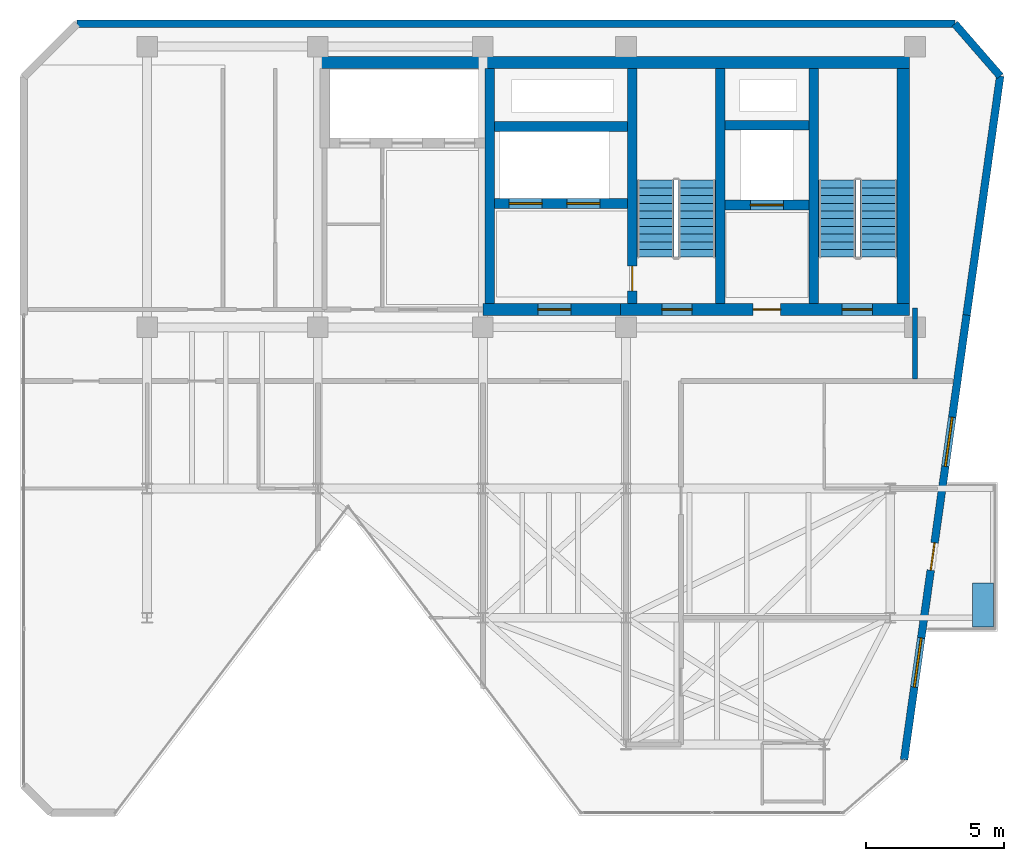
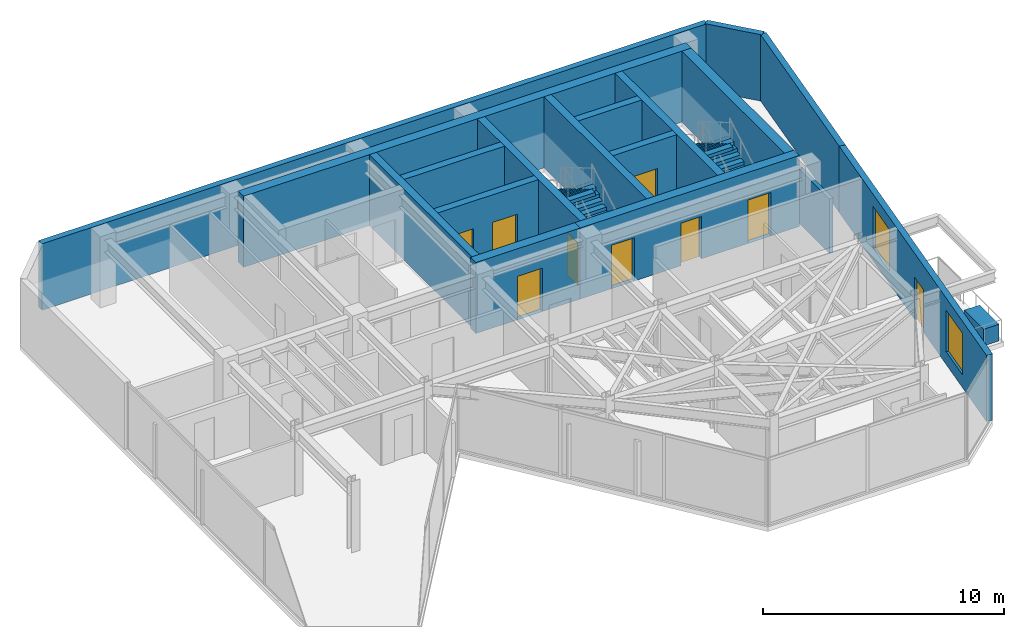
# One storey, part 14 of 16: 17 walls, 9 doors, 4 stair flights, 2 windows, 1 discrete accessory, 11 openings, 2 elements without a shape of their own.
"""IFC4 building model written with IfcOpenShell, lengths in metres."""

from ifc_helpers import new_model, si_unit, direction, frame, frame_2d, origin, origin_2d, place, context, subcontext, project, spatial, polyline, rectangle, outline, extrude, material, layer, layer_set, type_object, element, fill, aggregate, save


model = new_model("IFC4")

# Units and contexts
model_context = context("Model", 3, precision=1e-05, world=origin(), true_north=direction((0.0, 1.0)))
body_context = subcontext(model_context, "Body", "Model", "MODEL_VIEW")
ifc_project = project(units=[si_unit("LENGTHUNIT", "METRE"), si_unit("AREAUNIT", "SQUARE_METRE"), si_unit("VOLUMEUNIT", "CUBIC_METRE"), si_unit("PLANEANGLEUNIT", "RADIAN"), si_unit("MASSUNIT", "GRAM", prefix="KILO")], contexts=[model_context])

# Site, building, storey
site_placement = place(None, origin())
site = spatial("IfcSite", under=ifc_project, at=site_placement, CompositionType="ELEMENT")
building_placement = place(site_placement, origin())
building = spatial("IfcBuilding", under=site, at=building_placement, Name="Kravanh Interchange Tower", CompositionType="ELEMENT")
storey_placement = place(building_placement, frame((0.0, 0.0, 300.300048828125)))
storey = spatial("IfcBuildingStorey", under=building, at=storey_placement, Name="L74", CompositionType="ELEMENT", Elevation=300.300048828125)

# Walls
ifc_material_1 = material(Name="Concrete C60/75", Category="concrete")
ifc_layer_1 = layer(ifc_material_1, 0.35009765625)
ifc_layer_set_1 = layer_set([ifc_layer_1], Name="Core Shear Wall Concrete C60/75 350mm")
wall_type_1 = type_object("IfcWallType", Name="Core Shear Wall Concrete C60/75 350mm", PredefinedType="SHEAR", material=ifc_layer_set_1)
for number, where, z_axis, x_axis, name in (
    (1, (62.824951171875, 38.22509765625, 0.0), (0.0, 0.0, 1.0), (0.0, 1.0, 0.0), "L74 Stair ST1 West Shear Wall"),
    (2, (59.425048828125, 38.22509765625, 0.0), (0.0, 0.0, 1.0), (0.0, 1.0, 0.0), "L74 Stair ST2 East Shear Wall"),
):
    element("IfcWall", number, at=place(storey_placement, frame(where, z_axis=z_axis, x_axis=x_axis)), inside=storey, type_object=wall_type_1, Name=name, PredefinedType="SHEAR", context=body_context, shape_type="SweptSolid", body=[
        extrude(rectangle(XDim=8.52490234375, YDim=0.35009765625, at=frame_2d((4.262451171875, 0.0))), origin(), (0.0, 0.0, 1.0), 3.599853515625),
    ])

# Wall, opening, door
wall_1_placement = place(storey_placement, frame((56.22509765625, 38.22509765625, 0.0), z_axis=(0.0, 0.0, 1.0), x_axis=(0.0, 1.0, 0.0)))
wall_1 = element("IfcWall", 3, at=wall_1_placement, inside=storey, type_object=wall_type_1, Name="L74 Stair ST2 West Shear Wall", PredefinedType="SHEAR", context=body_context, shape_type="SweptSolid", body=[
    extrude(rectangle(XDim=8.52490234375, YDim=0.35009765625, at=frame_2d((4.262451171875, 0.0))), origin(), (0.0, 0.0, 1.0), 3.599853515625),
])
opening_1_placement = place(wall_1_placement, frame((0.455078125, 0.0, 0.0)))
opening_1 = element("IfcOpeningElement", 4, at=opening_1_placement, cuts=wall_1, Name="Opening D-STAIR-90", PredefinedType="OPENING", context=body_context, shape_type="SweptSolid", body=[
    extrude(rectangle(XDim=0.89990234375, YDim=2.14990234375, at=frame_2d((0.449951171875, 1.074951171875))), frame((0.0, 0.18505859375, 0.0), z_axis=(0.0, -1.0, 0.0), x_axis=(1.0, 0.0, 0.0)), (0.0, 0.0, 1.0), 0.3701171875),
])
ifc_material_2 = material(Name="Structural Steel S355", Category="steel")
door_type_1 = type_object("IfcDoorType", Name="Fire-Rated Stair Lobby Door 900x2150", OperationType="NOTDEFINED", PredefinedType="DOOR", material=ifc_material_2)
door_1_placement = place(opening_1_placement, origin())
door_1 = element("IfcDoor", 5, at=door_1_placement, inside=storey, type_object=door_type_1, Name="L74 Firefighting Lobby to Stair ST2 Door", OperationType="SINGLE_SWING_LEFT", OverallHeight=2.14990234375, OverallWidth=0.89990234375, PredefinedType="DOOR", context=body_context, shape_type="SweptSolid", body=[
    extrude(rectangle(XDim=0.89990234375, YDim=2.14990234375, at=frame_2d((0.449951171875, 1.074951171875))), frame((0.0, 0.02490234375, 0.0), z_axis=(0.0, -1.0, 0.0), x_axis=(1.0, 0.0, 0.0)), (0.0, 0.0, 1.0), 0.050048828125),
])
fill(opening_1, door_1)

wall_2_placement = place(storey_placement, frame((59.60009765625, 41.800048828125, 0.0), z_axis=(0.0, 0.0, 1.0), x_axis=(1.0, 0.0, 0.0)))
wall_2 = element("IfcWall", 6, at=wall_2_placement, inside=storey, type_object=wall_type_1, Name="L74 Service Lift Shaft South Wall", PredefinedType="SHEAR", context=body_context, shape_type="SweptSolid", body=[
    extrude(rectangle(XDim=3.0498046875, YDim=0.35009765625, at=frame_2d((1.52490234375, 0.0))), origin(), (0.0, 0.0, 1.0), 3.599853515625),
])
opening_2_placement = place(wall_2_placement, frame((0.919921875, 0.0, 0.0)))
opening_2 = element("IfcOpeningElement", 7, at=opening_2_placement, cuts=wall_2, Name="Opening LD02", PredefinedType="OPENING", context=body_context, shape_type="SweptSolid", body=[
    extrude(rectangle(XDim=1.199951171875, YDim=2.199951171875, at=frame_2d((0.60009765625, 1.10009765625))), frame((0.0, 0.18505859375, 0.0), z_axis=(0.0, -1.0, 0.0), x_axis=(1.0, 0.0, 0.0)), (0.0, 0.0, 1.0), 0.3701171875),
])
ifc_material_3 = material(Name="Stainless Steel 316", Category="steel")
door_type_2 = type_object("IfcDoorType", Name="Fire and Service Lift Sliding Landing Door 1200x2200", OperationType="DOUBLE_DOOR_SLIDING", PredefinedType="DOOR", material=ifc_material_3)
door_2_placement = place(opening_2_placement, origin())
door_2 = element("IfcDoor", 8, at=door_2_placement, inside=storey, type_object=door_type_2, Name="L74 Lift LS-01 Landing Door", OperationType="DOUBLE_DOOR_SLIDING", OverallHeight=2.199951171875, OverallWidth=1.199951171875, PredefinedType="DOOR", context=body_context, shape_type="SweptSolid", body=[
    extrude(rectangle(XDim=1.199951171875, YDim=2.199951171875, at=frame_2d((0.60009765625, 1.10009765625))), frame((0.0, 0.02490234375, 0.0), z_axis=(0.0, -1.0, 0.0), x_axis=(1.0, 0.0, 0.0)), (0.0, 0.0, 1.0), 0.050048828125),
])
fill(opening_2, door_2)

# Wall
wall_3_placement = place(storey_placement, frame((59.60009765625, 44.699951171875, 0.0), z_axis=(0.0, 0.0, 1.0), x_axis=(1.0, 0.0, 0.0)))
element("IfcWall", 9, at=wall_3_placement, inside=storey, type_object=wall_type_1, Name="L74 Service Lift Shaft North Wall", PredefinedType="SHEAR", context=body_context, shape_type="SweptSolid", body=[
    extrude(rectangle(XDim=3.0498046875, YDim=0.35009765625, at=frame_2d((1.52490234375, 0.0))), origin(), (0.0, 0.0, 1.0), 3.599853515625),
])

# Wall, openings, doors
wall_4_placement = place(storey_placement, frame((51.22509765625, 41.85009765625, 0.0), z_axis=(0.0, 0.0, 1.0), x_axis=(1.0, 0.0, 0.0)))
wall_4 = element("IfcWall", 10, at=wall_4_placement, inside=storey, type_object=wall_type_1, Name="L74 Fire Lift Shaft South Wall", PredefinedType="SHEAR", context=body_context, shape_type="SweptSolid", body=[
    extrude(rectangle(XDim=4.824951171875, YDim=0.35009765625, at=frame_2d((2.41259765625, 0.0))), origin(), (0.0, 0.0, 1.0), 3.599853515625),
])
opening_3_placement = place(wall_4_placement, frame((0.52490234375, 0.0, 0.0)))
opening_3 = element("IfcOpeningElement", 11, at=opening_3_placement, cuts=wall_4, Name="Opening LD02", PredefinedType="OPENING", context=body_context, shape_type="SweptSolid", body=[
    extrude(rectangle(XDim=1.199951171875, YDim=2.199951171875, at=frame_2d((0.60009765625, 1.10009765625))), frame((0.0, 0.18505859375, 0.0), z_axis=(0.0, -1.0, 0.0), x_axis=(1.0, 0.0, 0.0)), (0.0, 0.0, 1.0), 0.3701171875),
])
opening_4_placement = place(wall_4_placement, frame((2.625, 0.0, 0.0)))
opening_4 = element("IfcOpeningElement", 12, at=opening_4_placement, cuts=wall_4, Name="Opening LD02", PredefinedType="OPENING", context=body_context, shape_type="SweptSolid", body=[
    extrude(rectangle(XDim=1.199951171875, YDim=2.199951171875, at=frame_2d((0.60009765625, 1.10009765625))), frame((0.0, 0.18505859375, 0.0), z_axis=(0.0, -1.0, 0.0), x_axis=(1.0, 0.0, 0.0)), (0.0, 0.0, 1.0), 0.3701171875),
])
door_3_placement = place(opening_3_placement, origin())
door_3 = element("IfcDoor", 13, at=door_3_placement, inside=storey, type_object=door_type_2, Name="L74 Lift FSAE-01 Landing Door", OperationType="DOUBLE_DOOR_SLIDING", OverallHeight=2.199951171875, OverallWidth=1.199951171875, PredefinedType="DOOR", context=body_context, shape_type="SweptSolid", body=[
    extrude(rectangle(XDim=1.199951171875, YDim=2.199951171875, at=frame_2d((0.60009765625, 1.10009765625))), frame((0.0, 0.02490234375, 0.0), z_axis=(0.0, -1.0, 0.0), x_axis=(1.0, 0.0, 0.0)), (0.0, 0.0, 1.0), 0.050048828125),
])
fill(opening_3, door_3)
door_4_placement = place(opening_4_placement, origin())
door_4 = element("IfcDoor", 14, at=door_4_placement, inside=storey, type_object=door_type_2, Name="L74 Lift FSAE-02 Landing Door", OperationType="DOUBLE_DOOR_SLIDING", OverallHeight=2.199951171875, OverallWidth=1.199951171875, PredefinedType="DOOR", context=body_context, shape_type="SweptSolid", body=[
    extrude(rectangle(XDim=1.199951171875, YDim=2.199951171875, at=frame_2d((0.60009765625, 1.10009765625))), frame((0.0, 0.02490234375, 0.0), z_axis=(0.0, -1.0, 0.0), x_axis=(1.0, 0.0, 0.0)), (0.0, 0.0, 1.0), 0.050048828125),
])
fill(opening_4, door_4)

# Walls
wall_5_placement = place(storey_placement, frame((51.22509765625, 44.64990234375, 0.0), z_axis=(0.0, 0.0, 1.0), x_axis=(1.0, 0.0, 0.0)))
element("IfcWall", 15, at=wall_5_placement, inside=storey, type_object=wall_type_1, Name="L74 Fire Lift Shaft North Wall", PredefinedType="SHEAR", context=body_context, shape_type="SweptSolid", body=[
    extrude(rectangle(XDim=4.824951171875, YDim=0.35009765625, at=frame_2d((2.41259765625, 0.0))), origin(), (0.0, 0.0, 1.0), 3.599853515625),
])
wall_6_placement = place(storey_placement, frame((51.050048828125, 38.22509765625, 0.0), z_axis=(0.0, 0.0, 1.0), x_axis=(0.0, 1.0, 0.0)))
element("IfcWall", 16, at=wall_6_placement, inside=storey, type_object=wall_type_1, Name="L74 Firefighting Lobby West Wall", PredefinedType="SHEAR", context=body_context, shape_type="SweptSolid", body=[
    extrude(rectangle(XDim=8.52490234375, YDim=0.35009765625, at=frame_2d((4.262451171875, 0.0))), origin(), (0.0, 0.0, 1.0), 3.599853515625),
])
ifc_material_4 = material(Name="Concrete C60/75", Category="concrete")
ifc_layer_2 = layer(ifc_material_4, 0.449951171875)
ifc_layer_set_2 = layer_set([ifc_layer_2], Name="Core Shear Wall Concrete C60/75 450mm")
wall_type_2 = type_object("IfcWallType", Name="Core Shear Wall Concrete C60/75 450mm", PredefinedType="SHEAR", material=ifc_layer_set_2)
wall_7_placement = place(storey_placement, frame((44.85009765625, 46.97509765625, 0.0), z_axis=(0.0, 0.0, 1.0), x_axis=(1.0, 0.0, 0.0)))
element("IfcWall", 17, at=wall_7_placement, inside=storey, type_object=wall_type_2, Name="L74 North Core Shear Wall", PredefinedType="SHEAR", context=body_context, shape_type="SweptSolid", body=[
    extrude(rectangle(XDim=21.449951171875, YDim=0.449951171875, at=frame_2d((10.72509765625, 0.0))), origin(), (0.0, 0.0, 1.0), 3.599853515625),
])

# Wall, openings, doors
wall_8_placement = place(storey_placement, frame((55.800048828125, 38.0, 0.0), z_axis=(0.0, 0.0, 1.0), x_axis=(1.0, 0.0, 0.0)))
wall_8 = element("IfcWall", 18, at=wall_8_placement, inside=storey, type_object=wall_type_2, Name="L74 East Core South Shear Wall", PredefinedType="SHEAR", context=body_context, shape_type="SweptSolid", body=[
    extrude(rectangle(XDim=10.5, YDim=0.449951171875, at=frame_2d((5.25, 0.0))), origin(), (0.0, 0.0, 1.0), 3.599853515625),
])
opening_5_placement = place(wall_8_placement, frame((1.5, 0.0, 0.0)))
opening_5 = element("IfcOpeningElement", 19, at=opening_5_placement, cuts=wall_8, Name="Opening D-STAIR-110", PredefinedType="OPENING", context=body_context, shape_type="SweptSolid", body=[
    extrude(rectangle(XDim=1.10009765625, YDim=2.199951171875, at=frame_2d((0.550048828125, 1.10009765625))), frame((0.0, 0.23486328125, 0.0), z_axis=(0.0, -1.0, 0.0), x_axis=(1.0, 0.0, 0.0)), (0.0, 0.0, 1.0), 0.469970703125),
])
opening_6_placement = place(wall_8_placement, frame((4.820068359375, 0.0, 0.0)))
opening_6 = element("IfcOpeningElement", 20, at=opening_6_placement, cuts=wall_8, Name="Opening D-HOTEL-100", PredefinedType="OPENING", context=body_context, shape_type="SweptSolid", body=[
    extrude(rectangle(XDim=1.0, YDim=2.14990234375, at=frame_2d((0.5, 1.074951171875))), frame((0.0, 0.23486328125, 0.0), z_axis=(0.0, -1.0, 0.0), x_axis=(1.0, 0.0, 0.0)), (0.0, 0.0, 1.0), 0.469970703125),
])
opening_7_placement = place(wall_8_placement, frame((8.050048828125, 0.0, 0.0)))
opening_7 = element("IfcOpeningElement", 21, at=opening_7_placement, cuts=wall_8, Name="Opening D-STAIR-110", PredefinedType="OPENING", context=body_context, shape_type="SweptSolid", body=[
    extrude(rectangle(XDim=1.10009765625, YDim=2.199951171875, at=frame_2d((0.550048828125, 1.10009765625))), frame((0.0, 0.23486328125, 0.0), z_axis=(0.0, -1.0, 0.0), x_axis=(1.0, 0.0, 0.0)), (0.0, 0.0, 1.0), 0.469970703125),
])
ifc_material_5 = material(Name="Structural Steel S355", Category="steel")
door_type_3 = type_object("IfcDoorType", Name="Fire-Rated Exit Stair Door 1100x2200", OperationType="NOTDEFINED", PredefinedType="DOOR", material=ifc_material_5)
door_5_placement = place(opening_5_placement, origin())
door_5 = element("IfcDoor", 22, at=door_5_placement, inside=storey, type_object=door_type_3, Name="L74 Exit Stair ST2 Door", OperationType="SINGLE_SWING_RIGHT", OverallHeight=2.199951171875, OverallWidth=1.10009765625, PredefinedType="DOOR", context=body_context, shape_type="SweptSolid", body=[
    extrude(rectangle(XDim=1.10009765625, YDim=2.199951171875, at=frame_2d((0.550048828125, 1.10009765625))), frame((0.0, 0.02490234375, 0.0), z_axis=(0.0, -1.0, 0.0), x_axis=(1.0, 0.0, 0.0)), (0.0, 0.0, 1.0), 0.050048828125),
])
fill(opening_5, door_5)
door_6_placement = place(opening_7_placement, origin())
door_6 = element("IfcDoor", 23, at=door_6_placement, inside=storey, type_object=door_type_3, Name="L74 Exit Stair ST1 Door", OperationType="SINGLE_SWING_RIGHT", OverallHeight=2.199951171875, OverallWidth=1.10009765625, PredefinedType="DOOR", context=body_context, shape_type="SweptSolid", body=[
    extrude(rectangle(XDim=1.10009765625, YDim=2.199951171875, at=frame_2d((0.550048828125, 1.10009765625))), frame((0.0, 0.02490234375, 0.0), z_axis=(0.0, -1.0, 0.0), x_axis=(1.0, 0.0, 0.0)), (0.0, 0.0, 1.0), 0.050048828125),
])
fill(opening_7, door_6)
ifc_material_6 = material(Name="Fire-Rated Solid Timber Leaf", Category="wood")
door_type_4 = type_object("IfcDoorType", Name="Fire-Rated Suite Entrance Door 1000x2150", OperationType="NOTDEFINED", PredefinedType="DOOR", material=ifc_material_6)
door_7_placement = place(opening_6_placement, origin())
door_7 = element("IfcDoor", 24, at=door_7_placement, inside=storey, type_object=door_type_4, Name="L74 Service Lift Lobby Door", OperationType="SINGLE_SWING_RIGHT", OverallHeight=2.14990234375, OverallWidth=1.0, PredefinedType="DOOR", context=body_context, shape_type="SweptSolid", body=[
    extrude(rectangle(XDim=1.0, YDim=2.14990234375, at=frame_2d((0.5, 1.074951171875))), frame((0.0, 0.02490234375, 0.0), z_axis=(0.0, -1.0, 0.0), x_axis=(1.0, 0.0, 0.0)), (0.0, 0.0, 1.0), 0.050048828125),
])
fill(opening_6, door_7)

# Wall
wall_9_placement = place(storey_placement, frame((66.074951171875, 38.22509765625, 0.0), z_axis=(0.0, 0.0, 1.0), x_axis=(0.0, 1.0, 0.0)))
element("IfcWall", 25, at=wall_9_placement, inside=storey, type_object=wall_type_2, Name="L74 Stair ST1 East Shear Wall", PredefinedType="SHEAR", context=body_context, shape_type="SweptSolid", body=[
    extrude(rectangle(XDim=8.52490234375, YDim=0.449951171875, at=frame_2d((4.262451171875, 0.0))), origin(), (0.0, 0.0, 1.0), 3.599853515625),
])

# Wall, opening, door
wall_10_placement = place(storey_placement, frame((50.800048828125, 38.0, 0.0), z_axis=(0.0, 0.0, 1.0), x_axis=(1.0, 0.0, 0.0)))
wall_10 = element("IfcWall", 26, at=wall_10_placement, inside=storey, type_object=wall_type_2, Name="L74 Firefighting Lobby South Shear Wall", PredefinedType="SHEAR", context=body_context, shape_type="SweptSolid", body=[
    extrude(rectangle(XDim=5.0, YDim=0.449951171875, at=frame_2d((2.5, 0.0))), origin(), (0.0, 0.0, 1.0), 3.599853515625),
])
opening_8_placement = place(wall_10_placement, frame((2.0, 0.0, 0.0)))
opening_8 = element("IfcOpeningElement", 27, at=opening_8_placement, cuts=wall_10, Name="Opening D-FSAE-120", PredefinedType="OPENING", context=body_context, shape_type="SweptSolid", body=[
    extrude(rectangle(XDim=1.199951171875, YDim=2.199951171875, at=frame_2d((0.60009765625, 1.10009765625))), frame((0.0, 0.23486328125, 0.0), z_axis=(0.0, -1.0, 0.0), x_axis=(1.0, 0.0, 0.0)), (0.0, 0.0, 1.0), 0.469970703125),
])
ifc_material_7 = material(Name="Structural Steel S355", Category="steel")
door_type_5 = type_object("IfcDoorType", Name="Fire-Rated Refuge and FSAE Door 1200x2200", OperationType="NOTDEFINED", PredefinedType="DOOR", material=ifc_material_7)
door_8_placement = place(opening_8_placement, origin())
door_8 = element("IfcDoor", 28, at=door_8_placement, inside=storey, type_object=door_type_5, Name="L74 Firefighting Lobby Corridor Door", OperationType="SINGLE_SWING_RIGHT", OverallHeight=2.199951171875, OverallWidth=1.199951171875, PredefinedType="DOOR", context=body_context, shape_type="SweptSolid", body=[
    extrude(rectangle(XDim=1.199951171875, YDim=2.199951171875, at=frame_2d((0.60009765625, 1.10009765625))), frame((0.0, 0.02490234375, 0.0), z_axis=(0.0, -1.0, 0.0), x_axis=(1.0, 0.0, 0.0)), (0.0, 0.0, 1.0), 0.050048828125),
])
fill(opening_8, door_8)

# Walls
ifc_material_8 = material(Name="Insulated Precast Concrete C40/50 with Bronze Cladding", Category="concrete")
ifc_layer_3 = layer(ifc_material_8, 0.280029296875)
ifc_layer_set_3 = layer_set([ifc_layer_3], Name="Exterior Insulated Concrete C40/50 Bronze Spandrel Wall 280mm")
wall_type_3 = type_object("IfcWallType", Name="Exterior Insulated Concrete C40/50 Bronze Spandrel Wall 280mm", PredefinedType="STANDARD", material=ifc_layer_set_3)
wall_11_placement = place(storey_placement, frame((36.0498046875, 48.3798828125, 0.0), z_axis=(0.0, 0.0, 1.0), x_axis=(1.0, 0.0, 0.0)))
element("IfcWall", 29, at=wall_11_placement, inside=storey, type_object=wall_type_3, Name="L74 Exterior Wall 3", PredefinedType="STANDARD", context=body_context, shape_type="SweptSolid", body=[
    extrude(rectangle(XDim=31.8955078125, YDim=0.280029296875, at=frame_2d((15.94775390625, 0.0))), origin(), (0.0, 0.0, 1.0), 3.364990234375),
])
wall_12_placement = place(storey_placement, frame((67.9453125, 48.3798828125, 0.0), z_axis=(0.0, 0.0, 1.0), x_axis=(0.656068147197, -0.75470165379, 0.0)))
element("IfcWall", 30, at=wall_12_placement, inside=storey, type_object=wall_type_3, Name="L74 Exterior Wall 4", PredefinedType="STANDARD", context=body_context, shape_type="SweptSolid", body=[
    extrude(rectangle(XDim=2.514892578125, YDim=0.280029296875, at=frame_2d((1.25732421875, 0.0))), origin(), (0.0, 0.0, 1.0), 3.364990234375),
])
wall_13_placement = place(storey_placement, frame((69.59521484375, 46.48193359375, 0.0), z_axis=(0.0, 0.0, 1.0), x_axis=(-0.139179310088, -0.990267196086, 0.0)))
element("IfcWall", 31, at=wall_13_placement, inside=storey, type_object=wall_type_3, Name="L74 Exterior Wall 5", PredefinedType="STANDARD", context=body_context, shape_type="SweptSolid", body=[
    extrude(rectangle(XDim=8.767333984375, YDim=0.280029296875, at=frame_2d((4.3837890625, 0.0))), origin(), (0.0, 0.0, 1.0), 3.364990234375),
])

# Wall, openings, door, windows
wall_14_placement = place(storey_placement, frame((68.375, 37.800048828125, 0.0), z_axis=(0.0, 0.0, 1.0), x_axis=(-0.139177573889, -0.990267440102, 0.0)))
wall_14 = element("IfcWall", 32, at=wall_14_placement, inside=storey, type_object=wall_type_3, Name="L74 Exterior Wall 6", PredefinedType="STANDARD", context=body_context, shape_type="SweptSolid", body=[
    extrude(rectangle(XDim=16.317138671875, YDim=0.280029296875, at=frame_2d((8.15869140625, 0.0))), origin(), (0.0, 0.0, 1.0), 3.364990234375),
])
opening_9_placement = place(wall_14_placement, frame((8.359619140625, 0.0, 0.0)))
opening_9 = element("IfcOpeningElement", 33, at=opening_9_placement, cuts=wall_14, Name="Opening ED-BAL100", PredefinedType="OPENING", context=body_context, shape_type="SweptSolid", body=[
    extrude(rectangle(XDim=1.0, YDim=2.14990234375, at=frame_2d((0.5, 1.074951171875))), frame((0.0, 0.14990234375, 0.0), z_axis=(0.0, -1.0, 0.0), x_axis=(1.0, 0.0, 0.0)), (0.0, 0.0, 1.0), 0.300048828125),
])
opening_10_placement = place(wall_14_placement, frame((3.75439453125, 0.0, 0.64990234375)))
opening_10 = element("IfcOpeningElement", 34, at=opening_10_placement, cuts=wall_14, Name="Opening WN-180X210", PredefinedType="OPENING", context=body_context, shape_type="SweptSolid", body=[
    extrude(rectangle(XDim=1.800048828125, YDim=2.10009765625, at=frame_2d((0.89990234375, 1.050048828125))), frame((0.0, 0.14990234375, 0.0), z_axis=(0.0, -1.0, 0.0), x_axis=(1.0, 0.0, 0.0)), (0.0, 0.0, 1.0), 0.300048828125),
])
opening_11_placement = place(wall_14_placement, frame((11.850341796875, 0.0, 0.64990234375)))
opening_11 = element("IfcOpeningElement", 35, at=opening_11_placement, cuts=wall_14, Name="Opening WN-180X210", PredefinedType="OPENING", context=body_context, shape_type="SweptSolid", body=[
    extrude(rectangle(XDim=1.800048828125, YDim=2.10009765625, at=frame_2d((0.89990234375, 1.050048828125))), frame((0.0, 0.14990234375, 0.0), z_axis=(0.0, -1.0, 0.0), x_axis=(1.0, 0.0, 0.0)), (0.0, 0.0, 1.0), 0.300048828125),
])
ifc_material_9 = material(Name="Thermally Broken Bronze Aluminium and Laminated Glass", Category="aluminium")
door_type_6 = type_object("IfcDoorType", Name="Balcony Glazed Door 1000x2150", OperationType="NOTDEFINED", PredefinedType="DOOR", material=ifc_material_9)
door_9_placement = place(opening_9_placement, origin())
door_9 = element("IfcDoor", 36, at=door_9_placement, inside=storey, type_object=door_type_6, Name="L74 E Tree Balcony Access Door", OperationType="SINGLE_SWING_RIGHT", OverallHeight=2.14990234375, OverallWidth=1.0, PredefinedType="DOOR", context=body_context, shape_type="SweptSolid", body=[
    extrude(rectangle(XDim=1.0, YDim=2.14990234375, at=frame_2d((0.5, 1.074951171875))), frame((0.0, 0.02490234375, 0.0), z_axis=(0.0, -1.0, 0.0), x_axis=(1.0, 0.0, 0.0)), (0.0, 0.0, 1.0), 0.050048828125),
])
fill(opening_9, door_9)
ifc_material_10 = material(Name="Thermally Broken Bronze Aluminium and Low-E Glass", Category="aluminium")
window_type = type_object("IfcWindowType", Name="Tower Pier Window 1800x2100", PartitioningType="SINGLE_PANEL", PredefinedType="WINDOW", material=ifc_material_10)
window_1_placement = place(opening_10_placement, origin())
window_1 = element("IfcWindow", 37, at=window_1_placement, inside=storey, type_object=window_type, Name="L74 Facade Window 6A", OverallHeight=2.10009765625, OverallWidth=1.800048828125, PartitioningType="SINGLE_PANEL", PredefinedType="WINDOW", context=body_context, shape_type="SweptSolid", body=[
    extrude(rectangle(XDim=1.800048828125, YDim=2.10009765625, at=frame_2d((0.89990234375, 1.050048828125))), frame((0.0, 0.030029296875, 0.0), z_axis=(0.0, -1.0, 0.0), x_axis=(1.0, 0.0, 0.0)), (0.0, 0.0, 1.0), 0.06005859375),
])
fill(opening_10, window_1)
window_2_placement = place(opening_11_placement, origin())
window_2 = element("IfcWindow", 38, at=window_2_placement, inside=storey, type_object=window_type, Name="L74 Facade Window 6B", OverallHeight=2.10009765625, OverallWidth=1.800048828125, PartitioningType="SINGLE_PANEL", PredefinedType="WINDOW", context=body_context, shape_type="SweptSolid", body=[
    extrude(rectangle(XDim=1.800048828125, YDim=2.10009765625, at=frame_2d((0.89990234375, 1.050048828125))), frame((0.0, 0.030029296875, 0.0), z_axis=(0.0, -1.0, 0.0), x_axis=(1.0, 0.0, 0.0)), (0.0, 0.0, 1.0), 0.06005859375),
])
fill(opening_11, window_2)

# Wall
ifc_material_11 = material(Name="Autoclaved Aerated Concrete C30/37 Blockwork", Category="masonry")
ifc_layer_4 = layer(ifc_material_11, 0.179931640625)
ifc_layer_set_4 = layer_set([ifc_layer_4], Name="Fire-Rated Lobby and Corridor Wall Concrete C30/37 180mm")
wall_type_4 = type_object("IfcWallType", Name="Fire-Rated Lobby and Corridor Wall Concrete C30/37 180mm", PredefinedType="STANDARD", material=ifc_layer_set_4)
wall_15_placement = place(storey_placement, frame((66.5, 35.468017578125, 0.0), z_axis=(0.0, 0.0, 1.0), x_axis=(0.0, 1.0, 0.0)))
element("IfcWall", 39, at=wall_15_placement, inside=storey, type_object=wall_type_4, Name="L74 Interior Partition 11", PredefinedType="STANDARD", context=body_context, shape_type="SweptSolid", body=[
    extrude(rectangle(XDim=2.58203125, YDim=0.179931640625, at=frame_2d((1.291015625, 0.0))), origin(), (0.0, 0.0, 1.0), 2.75390625),
])

# Stair, stair flights
ifc_material_12 = material(Name="Concrete C50/60", Category="concrete")
stair_type = type_object("IfcStairType", Name="Core Fire Exit Dogleg Stair Concrete C50/60", PredefinedType="HALF_TURN_STAIR", material=ifc_material_12)
stair_1_placement = place(storey_placement, origin())
stair_1 = element("IfcStair", 40, at=stair_1_placement, inside=storey, type_object=stair_type, Name="L74 Exit Stair ST1", PredefinedType="HALF_TURN_STAIR")
ifc_material_13 = material(Name="Precast Concrete C50/60", Category="concrete")
ifc_layer_5 = layer(ifc_material_13, 0.199951171875)
ifc_layer_set_5 = layer_set([ifc_layer_5], Name="Precast Concrete C50/60 Stair Flight 1350mm")
stair_flight_type = type_object("IfcStairFlightType", Name="Precast Concrete C50/60 Stair Flight 1350mm", PredefinedType="STRAIGHT", material=ifc_layer_set_5)
stair_flight_1_placement = place(storey_placement, frame((65.175048828125, 39.89990234375, 0.0), z_axis=(0.0, 0.0, 1.0), x_axis=(0.0, 1.0, 0.0)))
stair_flight_1 = element("IfcStairFlight", 41, at=stair_flight_1_placement, type_object=stair_flight_type, Name="ST1 flight 1", NumberOfRisers=11, NumberOfTreads=10, PredefinedType="STRAIGHT", RiserHeight=0.163636364, TreadLength=0.28, context=body_context, shape_type="SweptSolid", body=[
    extrude(outline(polyline([(0.0, 0.0), (0.0, 0.16357421875), (0.280029296875, 0.16357421875), (0.280029296875, 0.327392578125), (0.56005859375, 0.327392578125), (0.56005859375, 0.490966796875), (0.840087890625, 0.490966796875), (0.840087890625, 0.654541015625), (1.1201171875, 0.654541015625), (1.1201171875, 0.818115234375), (1.39990234375, 0.818115234375), (1.39990234375, 0.98193359375), (1.679931640625, 0.98193359375), (1.679931640625, 1.1455078125), (1.9599609375, 1.1455078125), (1.9599609375, 1.30908203125), (2.239990234375, 1.30908203125), (2.239990234375, 1.47265625), (2.52001953125, 1.47265625), (2.52001953125, 1.636474609375), (2.800048828125, 1.636474609375), (2.800048828125, 1.800048828125), (2.800048828125, 1.462646484375), (0.297119140625, 0.0), (0.0, 0.0)])), frame((0.0, 0.675048828125, 0.0), z_axis=(0.0, -1.0, 0.0), x_axis=(1.0, 0.0, 0.0)), (0.0, 0.0, 1.0), 1.35009765625),
])
stair_flight_2_placement = place(storey_placement, frame((63.675048828125, 42.699951171875, 1.800048828125), z_axis=(0.0, 0.0, 1.0), x_axis=(0.0, -1.0, 0.0)))
stair_flight_2 = element("IfcStairFlight", 42, at=stair_flight_2_placement, type_object=stair_flight_type, Name="ST1 flight 2", NumberOfRisers=11, NumberOfTreads=10, PredefinedType="STRAIGHT", RiserHeight=0.163636364, TreadLength=0.28, context=body_context, shape_type="SweptSolid", body=[
    extrude(outline(polyline([(0.0, 0.0), (0.0, 0.16357421875), (0.280029296875, 0.16357421875), (0.280029296875, 0.327392578125), (0.56005859375, 0.327392578125), (0.56005859375, 0.490966796875), (0.840087890625, 0.490966796875), (0.840087890625, 0.654541015625), (1.1201171875, 0.654541015625), (1.1201171875, 0.818115234375), (1.39990234375, 0.818115234375), (1.39990234375, 0.98193359375), (1.679931640625, 0.98193359375), (1.679931640625, 1.1455078125), (1.9599609375, 1.1455078125), (1.9599609375, 1.30908203125), (2.239990234375, 1.30908203125), (2.239990234375, 1.47265625), (2.52001953125, 1.47265625), (2.52001953125, 1.636474609375), (2.800048828125, 1.636474609375), (2.800048828125, 1.800048828125), (2.800048828125, 1.462646484375), (0.297119140625, 0.0), (0.0, 0.0)])), frame((0.0, 0.675048828125, 0.0), z_axis=(0.0, -1.0, 0.0), x_axis=(1.0, 0.0, 0.0)), (0.0, 0.0, 1.0), 1.35009765625),
])
aggregate(stair_1, [stair_flight_1, stair_flight_2])

stair_2_placement = place(storey_placement, origin())
stair_2 = element("IfcStair", 43, at=stair_2_placement, inside=storey, type_object=stair_type, Name="L74 Exit Stair ST2", PredefinedType="HALF_TURN_STAIR")
stair_flight_3_placement = place(storey_placement, frame((58.574951171875, 39.89990234375, 0.0), z_axis=(0.0, 0.0, 1.0), x_axis=(0.0, 1.0, 0.0)))
stair_flight_3 = element("IfcStairFlight", 44, at=stair_flight_3_placement, type_object=stair_flight_type, Name="ST2 flight 1", NumberOfRisers=11, NumberOfTreads=10, PredefinedType="STRAIGHT", RiserHeight=0.163636364, TreadLength=0.28, context=body_context, shape_type="SweptSolid", body=[
    extrude(outline(polyline([(0.0, 0.0), (0.0, 0.16357421875), (0.280029296875, 0.16357421875), (0.280029296875, 0.327392578125), (0.56005859375, 0.327392578125), (0.56005859375, 0.490966796875), (0.840087890625, 0.490966796875), (0.840087890625, 0.654541015625), (1.1201171875, 0.654541015625), (1.1201171875, 0.818115234375), (1.39990234375, 0.818115234375), (1.39990234375, 0.98193359375), (1.679931640625, 0.98193359375), (1.679931640625, 1.1455078125), (1.9599609375, 1.1455078125), (1.9599609375, 1.30908203125), (2.239990234375, 1.30908203125), (2.239990234375, 1.47265625), (2.52001953125, 1.47265625), (2.52001953125, 1.636474609375), (2.800048828125, 1.636474609375), (2.800048828125, 1.800048828125), (2.800048828125, 1.462646484375), (0.297119140625, 0.0), (0.0, 0.0)])), frame((0.0, 0.675048828125, 0.0), z_axis=(0.0, -1.0, 0.0), x_axis=(1.0, 0.0, 0.0)), (0.0, 0.0, 1.0), 1.35009765625),
])
stair_flight_4_placement = place(storey_placement, frame((57.074951171875, 42.699951171875, 1.800048828125), z_axis=(0.0, 0.0, 1.0), x_axis=(0.0, -1.0, 0.0)))
stair_flight_4 = element("IfcStairFlight", 45, at=stair_flight_4_placement, type_object=stair_flight_type, Name="ST2 flight 2", NumberOfRisers=11, NumberOfTreads=10, PredefinedType="STRAIGHT", RiserHeight=0.163636364, TreadLength=0.28, context=body_context, shape_type="SweptSolid", body=[
    extrude(outline(polyline([(0.0, 0.0), (0.0, 0.16357421875), (0.280029296875, 0.16357421875), (0.280029296875, 0.327392578125), (0.56005859375, 0.327392578125), (0.56005859375, 0.490966796875), (0.840087890625, 0.490966796875), (0.840087890625, 0.654541015625), (1.1201171875, 0.654541015625), (1.1201171875, 0.818115234375), (1.39990234375, 0.818115234375), (1.39990234375, 0.98193359375), (1.679931640625, 0.98193359375), (1.679931640625, 1.1455078125), (1.9599609375, 1.1455078125), (1.9599609375, 1.30908203125), (2.239990234375, 1.30908203125), (2.239990234375, 1.47265625), (2.52001953125, 1.47265625), (2.52001953125, 1.636474609375), (2.800048828125, 1.636474609375), (2.800048828125, 1.800048828125), (2.800048828125, 1.462646484375), (0.297119140625, 0.0), (0.0, 0.0)])), frame((0.0, 0.675048828125, 0.0), z_axis=(0.0, -1.0, 0.0), x_axis=(1.0, 0.0, 0.0)), (0.0, 0.0, 1.0), 1.35009765625),
])
aggregate(stair_2, [stair_flight_3, stair_flight_4])

# Discrete accessory
ifc_material_14 = material(Name="Architectural GRC Concrete C40/50 with Root Barrier", Category="concrete")
discrete_accessory_type = type_object("IfcDiscreteAccessoryType", Name="Structural Balcony Tree Planter Box Concrete C40/50 1600x750x850", PredefinedType="USERDEFINED", material=ifc_material_14)
discrete_accessory_placement = place(storey_placement, frame((68.969970703125, 27.260009765625, 0.0), z_axis=(0.0, 0.0, 1.0), x_axis=(1.0, 0.0, 0.0)))
element("IfcDiscreteAccessory", 46, at=discrete_accessory_placement, inside=storey, type_object=discrete_accessory_type, Name="L74 E Balcony TREE PLANTER", ObjectType="PLANTER", PredefinedType="USERDEFINED", context=body_context, shape_type="SweptSolid", body=[
    extrude(rectangle(XDim=0.75, YDim=1.60009765625, at=origin_2d()), origin(), (0.0, 0.0, 1.0), 0.85009765625),
])

save(model, "model.ifc")
